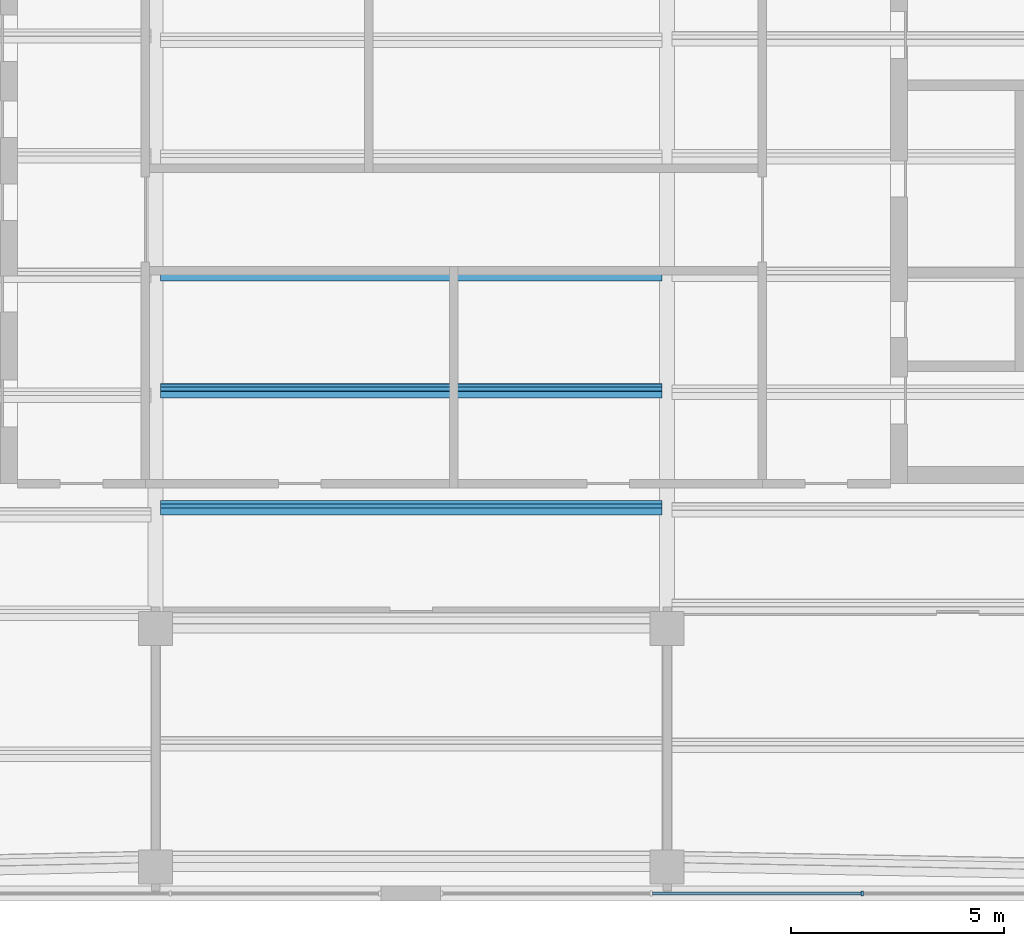
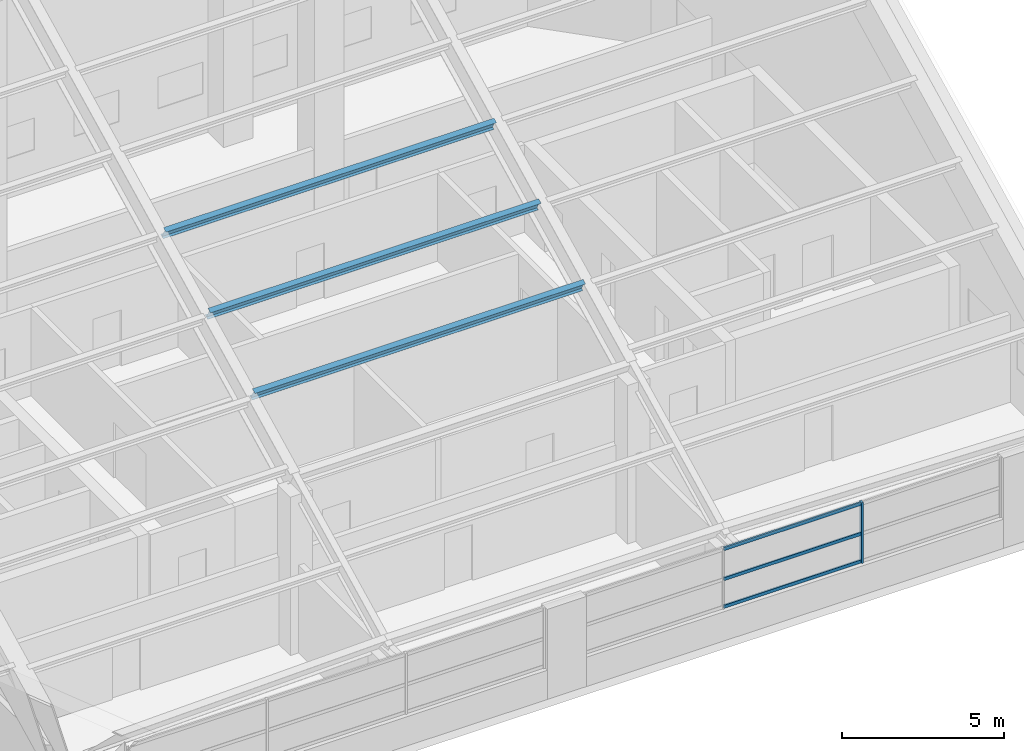
# One storey, part 14 of 28: 7 members, 1 element without a shape of its own.
"""IFC4 building model written with IfcOpenShell, lengths in metres."""

from ifc_helpers import new_model, si_unit, direction, frame, origin, origin_2d, place, context, subcontext, project, spatial, rectangle, i_section, extrude, material, material_profile, profile_set, type_object, element, aggregate, save


model = new_model("IFC4")

# Units and contexts
model_context = context("Model", 3, precision=1e-05, world=origin(), true_north=direction((0.0, 1.0)))
body_context = subcontext(model_context, "Body", "Model", "MODEL_VIEW")
ifc_project = project(units=[si_unit("LENGTHUNIT", "METRE"), si_unit("AREAUNIT", "SQUARE_METRE"), si_unit("VOLUMEUNIT", "CUBIC_METRE"), si_unit("PLANEANGLEUNIT", "RADIAN"), si_unit("MASSUNIT", "GRAM", prefix="KILO")], contexts=[model_context])

# Site, building, storey
site_placement = place(None, origin())
site = spatial("IfcSite", under=ifc_project, at=site_placement, CompositionType="ELEMENT")
building_placement = place(site_placement, origin())
building = spatial("IfcBuilding", under=site, at=building_placement, Name="Tuart Gate Housing", CompositionType="ELEMENT")
storey_placement = place(building_placement, frame((0.0, 0.0, 243.89990234375)))
storey = spatial("IfcBuildingStorey", under=building, at=storey_placement, Name="L68", CompositionType="ELEMENT", Elevation=243.89990234375)

# Members
ifc_material_1 = material(Name="Steel Grade 350", Category="steel")
ifc_material_profile_1 = material_profile(ifc_material_1, i_section(OverallWidth=0.177978515625, OverallDepth=0.403076171875, WebThickness=0.007568359375, FlangeThickness=0.010986328125, at=origin_2d()), Name="410UB53.7")
ifc_profile_set_1 = profile_set([ifc_material_profile_1], Name="Steel Grade 350")
member_type_1 = type_object("IfcMemberType", Name="Crown secondary purlin 410 UB53.7", PredefinedType="PURLIN", material=ifc_profile_set_1)
for number, where, z_axis, x_axis, name in (
    (1, (143.114501953125, 63.23291015625, 7.69140625), (1.0, 0.0, 0.0), (0.0, 0.89442680992, 0.44721435766), "Crown secondary purlin 41"),
    (2, (143.114501953125, 65.975830078125, 9.062744140625), (1.0, 0.0, 0.0), (0.0, 0.89442680992, 0.44721435766), "Crown secondary purlin 50"),
    (3, (143.114501953125, 68.71875, 10.43408203125), (1.0, 0.0, 0.0), (0.0, 0.89442680992, 0.44721435766), "Crown secondary purlin 65"),
):
    element("IfcMember", number, at=place(storey_placement, frame(where, z_axis=z_axis, x_axis=x_axis)), inside=storey, type_object=member_type_1, Name=name, PredefinedType="PURLIN", context=body_context, shape_type="SweptSolid", body=[
        extrude(i_section(OverallWidth=0.177978515625, OverallDepth=0.403076171875, WebThickness=0.007568359375, FlangeThickness=0.010986328125, at=origin_2d()), origin(), (0.0, 0.0, 1.0), 11.77099609375),
    ])

# Curtain wall, members
ifc_material_2 = material(Name="Aluminium and clear glass", Category="aluminium")
curtain_wall_type = type_object("IfcCurtainWallType", Name="Crown clerestory glazing", PredefinedType="USERDEFINED", material=ifc_material_2)
curtain_wall_placement = place(storey_placement, origin())
curtain_wall = element("IfcCurtainWall", 4, at=curtain_wall_placement, inside=storey, type_object=curtain_wall_type, Name="Crown clerestory glazing BLK-S L68", ObjectType="CROWN CLERESTORY GLAZING", PredefinedType="USERDEFINED")
ifc_material_3 = material(Name="Anodised aluminium", Category="aluminium")
ifc_material_profile_2 = material_profile(ifc_material_3, rectangle(XDim=0.06005859375, YDim=0.125, at=origin_2d()), Name="60x125")
ifc_profile_set_2 = profile_set([ifc_material_profile_2], Name="Anodised aluminium")
member_type_2 = type_object("IfcMemberType", Name="Mullion 60 x 125", PredefinedType="MULLION", material=ifc_profile_set_2)
member_1_placement = place(storey_placement, frame((159.57958984375, 54.179931640625, 1.10009765625), z_axis=(0.0, 0.0, 1.0), x_axis=(1.0, 0.0, 0.0)))
member_1 = element("IfcMember", 5, at=member_1_placement, type_object=member_type_2, Name="CW6 mullion 3", PredefinedType="MULLION", context=body_context, shape_type="SweptSolid", body=[
    extrude(rectangle(XDim=0.06005859375, YDim=0.125, at=origin_2d()), origin(), (0.0, 0.0, 1.0), 2.2900390625),
])
ifc_material_4 = material(Name="Anodised aluminium", Category="aluminium")
ifc_material_profile_3 = material_profile(ifc_material_4, rectangle(XDim=0.06005859375, YDim=0.1201171875, at=origin_2d()), Name="60x120")
ifc_profile_set_3 = profile_set([ifc_material_profile_3], Name="Anodised aluminium")
member_type_3 = type_object("IfcMemberType", Name="Transom 60 x 120", PredefinedType="USERDEFINED", material=ifc_profile_set_3)
member_2_placement = place(storey_placement, frame((154.66357421875, 54.179931640625, 1.16015625), z_axis=(1.0, 0.0, 0.0), x_axis=(0.0, 1.0, 0.0)))
member_2 = element("IfcMember", 6, at=member_2_placement, type_object=member_type_3, Name="CW6 transom 2.1", ObjectType="TRANSOM", PredefinedType="USERDEFINED", context=body_context, shape_type="SweptSolid", body=[
    extrude(rectangle(XDim=0.06005859375, YDim=0.1201171875, at=origin_2d()), origin(), (0.0, 0.0, 1.0), 4.885986328125),
])
member_3_placement = place(storey_placement, frame((154.66357421875, 54.179931640625, 2.2001953125), z_axis=(1.0, 0.0, 0.0), x_axis=(0.0, 1.0, 0.0)))
member_3 = element("IfcMember", 7, at=member_3_placement, type_object=member_type_3, Name="CW6 transom 2.2", ObjectType="TRANSOM", PredefinedType="USERDEFINED", context=body_context, shape_type="SweptSolid", body=[
    extrude(rectangle(XDim=0.06005859375, YDim=0.1201171875, at=origin_2d()), origin(), (0.0, 0.0, 1.0), 4.885986328125),
])
member_4_placement = place(storey_placement, frame((154.66357421875, 54.179931640625, 3.330078125), z_axis=(1.0, 0.0, 0.0), x_axis=(0.0, 1.0, 0.0)))
member_4 = element("IfcMember", 8, at=member_4_placement, type_object=member_type_3, Name="CW6 transom 2.3", ObjectType="TRANSOM", PredefinedType="USERDEFINED", context=body_context, shape_type="SweptSolid", body=[
    extrude(rectangle(XDim=0.06005859375, YDim=0.1201171875, at=origin_2d()), origin(), (0.0, 0.0, 1.0), 4.885986328125),
])
aggregate(curtain_wall, [member_1, member_2, member_3, member_4])

save(model, "model.ifc")
